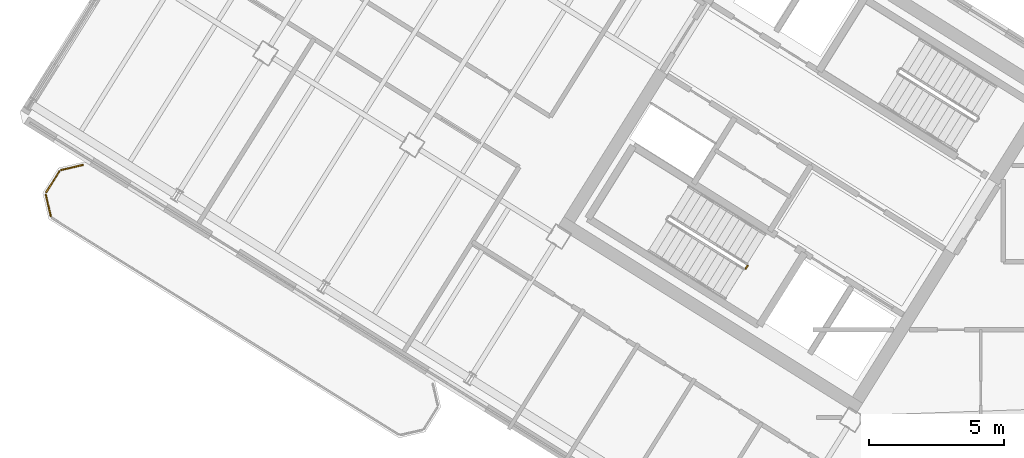
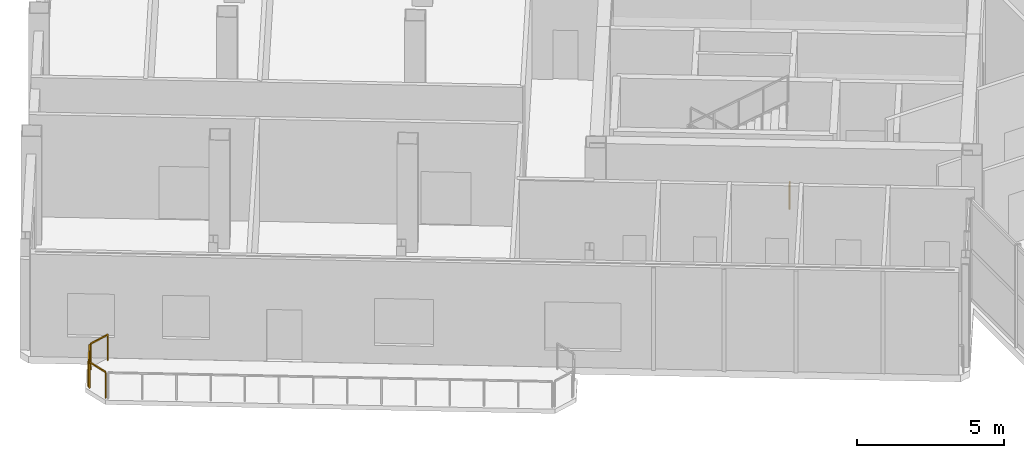
# One storey, part 22 of 27: 4 railings.
"""IFC4 building model written with IfcOpenShell, lengths in metres."""

from ifc_helpers import new_model, si_unit, direction, frame, origin, origin_2d, place, context, subcontext, project, spatial, rectangle, extrude, source, transform, mapped, material, type_object, element, save


model = new_model("IFC4")

# Units and contexts
model_context = context("Model", 3, precision=1e-05, world=origin(), true_north=direction((0.0, 1.0)))
body_context = subcontext(model_context, "Body", "Model", "MODEL_VIEW")
ifc_project = project(units=[si_unit("LENGTHUNIT", "METRE"), si_unit("AREAUNIT", "SQUARE_METRE"), si_unit("VOLUMEUNIT", "CUBIC_METRE"), si_unit("PLANEANGLEUNIT", "RADIAN"), si_unit("MASSUNIT", "GRAM", prefix="KILO")], contexts=[model_context])

# Site, building, storey
site_placement = place(None, origin())
site = spatial("IfcSite", under=ifc_project, at=site_placement, CompositionType="ELEMENT")
building_placement = place(site_placement, origin())
building = spatial("IfcBuilding", under=site, at=building_placement, Name="Tlacorven Tower", CompositionType="ELEMENT")
storey_placement = place(building_placement, frame((0.0, 0.0, 254.699951171875)))
storey = spatial("IfcBuildingStorey", under=building, at=storey_placement, Name="L64", CompositionType="ELEMENT", Elevation=254.699951171875)

# Railings
ifc_material = material(Name="Aluminium and painted steel balustrade", Category="steel")
railing_type_1 = type_object("IfcRailingType", Name="RL-BAL-1100", PredefinedType="BALUSTRADE", material=ifc_material)
shared_shape_1 = source(origin(), body_context, "Body", "SweptSolid", [
    extrude(rectangle(XDim=0.048095703125, YDim=0.048095703125, at=origin_2d()), frame((0.0, 0.0, 1.076171875), z_axis=(-0.225058334816, 0.974345290916, 0.0), x_axis=(-0.974345290916, -0.225058334816, 0.0)), (0.0, 0.0, 1.0), 0.80712890625),
    extrude(rectangle(XDim=0.0419921875, YDim=0.0419921875, at=origin_2d()), origin(), (0.0, 0.0, 1.0), 1.052001953125),
    extrude(rectangle(XDim=0.0419921875, YDim=0.0419921875, at=origin_2d()), frame((-0.181640625, 0.786376953125, 0.0)), (0.0, 0.0, 1.0), 1.052001953125),
])
railing_1_placement = place(storey_placement, frame((3.380859375, 19.62841796875, 0.0)))
element("IfcRailing", 1, at=railing_1_placement, inside=storey, type_object=railing_type_1, Name="BAL-L64-W-OUT Guard Railing 5", PredefinedType="BALUSTRADE", context=body_context, shape_type="MappedRepresentation", body=[
    mapped(shared_shape_1, transform((0.0, 0.0, 0.0), scale=1.0)),
])
shared_shape_2 = source(origin(), body_context, "Body", "SweptSolid", [
    extrude(rectangle(XDim=0.048095703125, YDim=0.048095703125, at=origin_2d()), frame((0.0, 0.0, 1.076171875), z_axis=(0.52987865805, 0.848073468364, 0.0), x_axis=(-0.848073468364, 0.52987865805, 0.0)), (0.0, 0.0, 1.0), 0.912353515625),
    extrude(rectangle(XDim=0.0419921875, YDim=0.0419921875, at=origin_2d()), origin(), (0.0, 0.0, 1.0), 1.052001953125),
    extrude(rectangle(XDim=0.0419921875, YDim=0.0419921875, at=origin_2d()), frame((0.4833984375, 0.773681640625, 0.0)), (0.0, 0.0, 1.0), 1.052001953125),
])
railing_2_placement = place(storey_placement, frame((3.214599609375, 20.505859375, 0.0)))
element("IfcRailing", 2, at=railing_2_placement, inside=storey, type_object=railing_type_1, Name="BAL-L64-W-OUT Guard Railing 6", PredefinedType="BALUSTRADE", context=body_context, shape_type="MappedRepresentation", body=[
    mapped(shared_shape_2, transform((0.0, 0.0, 0.0), scale=1.0)),
])
shared_shape_3 = source(origin(), body_context, "Body", "SweptSolid", [
    extrude(rectangle(XDim=0.048095703125, YDim=0.048095703125, at=origin_2d()), frame((0.0, 0.0, 1.076171875), z_axis=(0.974345290916, 0.225058334816, 0.0), x_axis=(-0.225058334816, 0.974345290916, 0.0)), (0.0, 0.0, 1.0), 0.80712890625),
    extrude(rectangle(XDim=0.0419921875, YDim=0.0419921875, at=origin_2d()), origin(), (0.0, 0.0, 1.0), 1.052001953125),
    extrude(rectangle(XDim=0.0419921875, YDim=0.0419921875, at=origin_2d()), frame((0.786376953125, 0.181640625, 0.0)), (0.0, 0.0, 1.0), 1.052001953125),
])
railing_3_placement = place(storey_placement, frame((3.773193359375, 21.3330078125, 0.0)))
element("IfcRailing", 3, at=railing_3_placement, inside=storey, type_object=railing_type_1, Name="BAL-L64-W-OUT Guard Railing 7", PredefinedType="BALUSTRADE", context=body_context, shape_type="MappedRepresentation", body=[
    mapped(shared_shape_3, transform((0.0, 0.0, 0.0), scale=1.0)),
])
railing_type_2 = type_object("IfcRailingType", Name="RL-GRD-1100", PredefinedType="GUARDRAIL", material=ifc_material)
shared_shape_4 = source(origin(), body_context, "Body", "SweptSolid", [
    extrude(rectangle(XDim=0.048095703125, YDim=0.048095703125, at=origin_2d()), frame((0.0, 0.0, 1.076171875), z_axis=(-0.529084052582, -0.848569422795, 0.0), x_axis=(0.848569422795, -0.529084052582, 0.0)), (0.0, 0.0, 1.0), 0.119873046875),
    extrude(rectangle(XDim=0.0419921875, YDim=0.0419921875, at=origin_2d()), origin(), (0.0, 0.0, 1.0), 1.052001953125),
    extrude(rectangle(XDim=0.0419921875, YDim=0.0419921875, at=origin_2d()), frame((-0.0634765625, -0.101806640625, 0.0)), (0.0, 0.0, 1.0), 1.052001953125),
])
railing_4_placement = place(storey_placement, frame((29.176513671875, 17.782958984375, 0.0)))
element("IfcRailing", 4, at=railing_4_placement, inside=storey, type_object=railing_type_2, Name="L64 ST-W1 stair guard 4", PredefinedType="GUARDRAIL", context=body_context, shape_type="MappedRepresentation", body=[
    mapped(shared_shape_4, transform((0.0, 0.0, 0.0), scale=1.0)),
])

save(model, "model.ifc")
